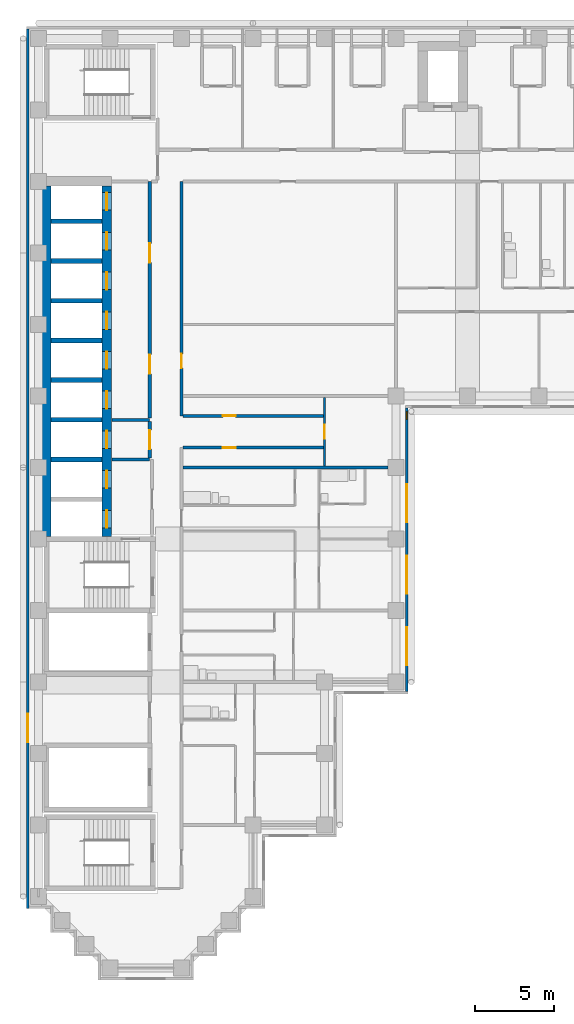
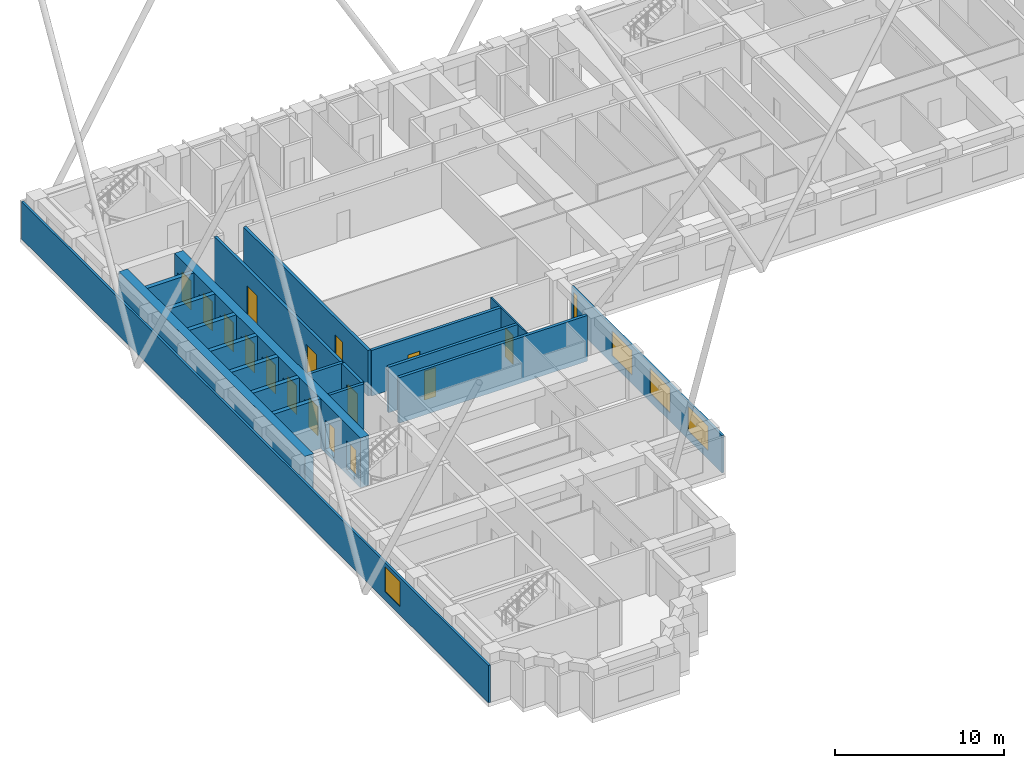
# One storey, part 5 of 13: 20 walls, 16 doors, 5 windows, 21 openings.
"""IFC4 building model written with IfcOpenShell, lengths in metres."""

from ifc_helpers import new_model, si_unit, direction, frame, frame_2d, origin, place, context, subcontext, project, spatial, rectangle, extrude, material, layer, layer_set, type_object, element, fill, save


model = new_model("IFC4")

# Units and contexts
model_context = context("Model", 3, precision=1e-05, world=origin(), true_north=direction((0.0, 1.0)))
body_context = subcontext(model_context, "Body", "Model", "MODEL_VIEW")
ifc_project = project(units=[si_unit("LENGTHUNIT", "METRE"), si_unit("AREAUNIT", "SQUARE_METRE"), si_unit("VOLUMEUNIT", "CUBIC_METRE"), si_unit("PLANEANGLEUNIT", "RADIAN"), si_unit("MASSUNIT", "GRAM", prefix="KILO")], contexts=[model_context])

# Site, building, storey
site_placement = place(None, origin())
site = spatial("IfcSite", under=ifc_project, at=site_placement, CompositionType="ELEMENT")
building_placement = place(site_placement, origin())
building = spatial("IfcBuilding", under=site, at=building_placement, Name="Firuza Court", CompositionType="ELEMENT")
storey_placement = place(building_placement, frame((0.0, 0.0, 162.800048828125)))
storey = spatial("IfcBuildingStorey", under=building, at=storey_placement, Name="L41", CompositionType="ELEMENT", Elevation=162.800048828125)

# Walls
ifc_material_1 = material(Name="Concrete C60/75", Category="concrete")
ifc_layer_1 = layer(ifc_material_1, 0.300048828125)
ifc_layer_set_1 = layer_set([ifc_layer_1], Name="Concrete C60/75")
wall_type_1 = type_object("IfcWallType", Name="Core wall 300 C60/75", PredefinedType="SHEAR", material=ifc_layer_set_1)
for number, where, z_axis, x_axis, name in (
    (1, (0.800048828125, 32.0, -0.300048828125), (0.0, 0.0, 1.0), (1.0, 0.0, 0.0), "Core wall lift shaft L41"),
    (2, (0.800048828125, 34.5, -0.300048828125), (0.0, 0.0, 1.0), (1.0, 0.0, 0.0), "Core wall lift shaft L41"),
    (3, (0.800048828125, 37.0, -0.300048828125), (0.0, 0.0, 1.0), (1.0, 0.0, 0.0), "Core wall lift shaft L41"),
    (4, (0.800048828125, 39.5, -0.300048828125), (0.0, 0.0, 1.0), (1.0, 0.0, 0.0), "Core wall lift shaft L41"),
    (5, (0.800048828125, 42.0, -0.300048828125), (0.0, 0.0, 1.0), (1.0, 0.0, 0.0), "Core wall lift shaft L41"),
    (6, (0.800048828125, 44.5, -0.300048828125), (0.0, 0.0, 1.0), (1.0, 0.0, 0.0), "Core wall lift shaft L41"),
    (7, (0.800048828125, 47.0, -0.300048828125), (0.0, 0.0, 1.0), (1.0, 0.0, 0.0), "Core wall lift shaft L41"),
):
    element("IfcWall", number, at=place(storey_placement, frame(where, z_axis=z_axis, x_axis=x_axis)), inside=storey, type_object=wall_type_1, Name=name, PredefinedType="SHEAR", context=body_context, shape_type="SweptSolid", body=[
        extrude(rectangle(XDim=3.199951171875, YDim=0.300048828125, at=frame_2d((1.60009765625, 0.0))), origin(), (0.0, 0.0, 1.0), 3.60009765625),
    ])
ifc_layer_2 = layer(ifc_material_1, 0.60009765625)
ifc_layer_set_2 = layer_set([ifc_layer_2], Name="Concrete C60/75")
wall_type_2 = type_object("IfcWallType", Name="Core wall 600 C60/75", PredefinedType="SHEAR", material=ifc_layer_set_2)
wall_1_placement = place(storey_placement, frame((0.5, 27.14990234375, -0.300048828125), z_axis=(0.0, 0.0, 1.0), x_axis=(0.0, 1.0, 0.0)))
element("IfcWall", 8, at=wall_1_placement, inside=storey, type_object=wall_type_2, Name="Core wall lift shaft L41", PredefinedType="SHEAR", context=body_context, shape_type="SweptSolid", body=[
    extrude(rectangle(XDim=22.050048828125, YDim=0.60009765625, at=frame_2d((11.02490234375, 0.0))), origin(), (0.0, 0.0, 1.0), 3.60009765625),
])

# Wall, openings, doors
wall_2_placement = place(storey_placement, frame((4.300048828125, 27.14990234375, -0.300048828125), z_axis=(0.0, 0.0, 1.0), x_axis=(0.0, 1.0, 0.0)))
wall_2 = element("IfcWall", 9, at=wall_2_placement, inside=storey, type_object=wall_type_2, Name="Core wall lift shaft L41", PredefinedType="SHEAR", context=body_context, shape_type="SweptSolid", body=[
    extrude(rectangle(XDim=22.050048828125, YDim=0.60009765625, at=frame_2d((11.02490234375, 0.0))), origin(), (0.0, 0.0, 1.0), 3.60009765625),
])
opening_1_placement = place(wall_2_placement, frame((3.050048828125, 0.0, 0.300048828125)))
opening_1 = element("IfcOpeningElement", 10, at=opening_1_placement, cuts=wall_2, Name="Opening LD-FL1-41", PredefinedType="OPENING", context=body_context, shape_type="SweptSolid", body=[
    extrude(rectangle(XDim=1.10009765625, YDim=2.10009765625, at=frame_2d((0.550048828125, 1.050048828125))), frame((0.0, 0.31201171875, 0.0), z_axis=(0.0, -1.0, 0.0), x_axis=(1.0, 0.0, 0.0)), (0.0, 0.0, 1.0), 0.6240234375),
])
opening_2_placement = place(wall_2_placement, frame((0.550048828125, 0.0, 0.300048828125)))
opening_2 = element("IfcOpeningElement", 11, at=opening_2_placement, cuts=wall_2, Name="Opening LD-FL2-41", PredefinedType="OPENING", context=body_context, shape_type="SweptSolid", body=[
    extrude(rectangle(XDim=1.10009765625, YDim=2.10009765625, at=frame_2d((0.550048828125, 1.050048828125))), frame((0.0, 0.31201171875, 0.0), z_axis=(0.0, -1.0, 0.0), x_axis=(1.0, 0.0, 0.0)), (0.0, 0.0, 1.0), 0.6240234375),
])
opening_3_placement = place(wall_2_placement, frame((20.550048828125, 0.0, 0.300048828125)))
opening_3 = element("IfcOpeningElement", 12, at=opening_3_placement, cuts=wall_2, Name="Opening LD-HB1-41", PredefinedType="OPENING", context=body_context, shape_type="SweptSolid", body=[
    extrude(rectangle(XDim=1.10009765625, YDim=2.10009765625, at=frame_2d((0.550048828125, 1.050048828125))), frame((0.0, 0.31201171875, 0.0), z_axis=(0.0, -1.0, 0.0), x_axis=(1.0, 0.0, 0.0)), (0.0, 0.0, 1.0), 0.6240234375),
])
opening_4_placement = place(wall_2_placement, frame((18.050048828125, 0.0, 0.300048828125)))
opening_4 = element("IfcOpeningElement", 13, at=opening_4_placement, cuts=wall_2, Name="Opening LD-HB2-41", PredefinedType="OPENING", context=body_context, shape_type="SweptSolid", body=[
    extrude(rectangle(XDim=1.10009765625, YDim=2.10009765625, at=frame_2d((0.550048828125, 1.050048828125))), frame((0.0, 0.31201171875, 0.0), z_axis=(0.0, -1.0, 0.0), x_axis=(1.0, 0.0, 0.0)), (0.0, 0.0, 1.0), 0.6240234375),
])
opening_5_placement = place(wall_2_placement, frame((15.550048828125, 0.0, 0.300048828125)))
opening_5 = element("IfcOpeningElement", 14, at=opening_5_placement, cuts=wall_2, Name="Opening LD-HB3-41", PredefinedType="OPENING", context=body_context, shape_type="SweptSolid", body=[
    extrude(rectangle(XDim=1.10009765625, YDim=2.10009765625, at=frame_2d((0.550048828125, 1.050048828125))), frame((0.0, 0.31201171875, 0.0), z_axis=(0.0, -1.0, 0.0), x_axis=(1.0, 0.0, 0.0)), (0.0, 0.0, 1.0), 0.6240234375),
])
opening_6_placement = place(wall_2_placement, frame((13.050048828125, 0.0, 0.300048828125)))
opening_6 = element("IfcOpeningElement", 15, at=opening_6_placement, cuts=wall_2, Name="Opening LD-HB4-41", PredefinedType="OPENING", context=body_context, shape_type="SweptSolid", body=[
    extrude(rectangle(XDim=1.10009765625, YDim=2.10009765625, at=frame_2d((0.550048828125, 1.050048828125))), frame((0.0, 0.31201171875, 0.0), z_axis=(0.0, -1.0, 0.0), x_axis=(1.0, 0.0, 0.0)), (0.0, 0.0, 1.0), 0.6240234375),
])
opening_7_placement = place(wall_2_placement, frame((10.550048828125, 0.0, 0.300048828125)))
opening_7 = element("IfcOpeningElement", 16, at=opening_7_placement, cuts=wall_2, Name="Opening LD-HB5-41", PredefinedType="OPENING", context=body_context, shape_type="SweptSolid", body=[
    extrude(rectangle(XDim=1.10009765625, YDim=2.10009765625, at=frame_2d((0.550048828125, 1.050048828125))), frame((0.0, 0.31201171875, 0.0), z_axis=(0.0, -1.0, 0.0), x_axis=(1.0, 0.0, 0.0)), (0.0, 0.0, 1.0), 0.6240234375),
])
opening_8_placement = place(wall_2_placement, frame((8.050048828125, 0.0, 0.300048828125)))
opening_8 = element("IfcOpeningElement", 17, at=opening_8_placement, cuts=wall_2, Name="Opening LD-HB6-41", PredefinedType="OPENING", context=body_context, shape_type="SweptSolid", body=[
    extrude(rectangle(XDim=1.10009765625, YDim=2.10009765625, at=frame_2d((0.550048828125, 1.050048828125))), frame((0.0, 0.31201171875, 0.0), z_axis=(0.0, -1.0, 0.0), x_axis=(1.0, 0.0, 0.0)), (0.0, 0.0, 1.0), 0.6240234375),
])
opening_9_placement = place(wall_2_placement, frame((5.550048828125, 0.0, 0.300048828125)))
opening_9 = element("IfcOpeningElement", 18, at=opening_9_placement, cuts=wall_2, Name="Opening LD-SL1-41", PredefinedType="OPENING", context=body_context, shape_type="SweptSolid", body=[
    extrude(rectangle(XDim=1.10009765625, YDim=2.10009765625, at=frame_2d((0.550048828125, 1.050048828125))), frame((0.0, 0.31201171875, 0.0), z_axis=(0.0, -1.0, 0.0), x_axis=(1.0, 0.0, 0.0)), (0.0, 0.0, 1.0), 0.6240234375),
])
ifc_material_2 = material(Name="Stainless steel 1.4301 door leaf", Category="steel")
door_type_1 = type_object("IfcDoorType", Name="Lift landing door 1100", OperationType="SLIDING_TO_LEFT", PredefinedType="DOOR", material=ifc_material_2)
door_1_placement = place(opening_1_placement, origin())
door_1 = element("IfcDoor", 19, at=door_1_placement, inside=storey, type_object=door_type_1, Name="Landing door FL1", OperationType="SLIDING_TO_LEFT", OverallHeight=2.10009765625, OverallWidth=1.10009765625, PredefinedType="DOOR", context=body_context, shape_type="SweptSolid", body=[
    extrude(rectangle(XDim=1.10009765625, YDim=2.10009765625, at=frame_2d((0.550048828125, 1.050048828125))), frame((0.0, 0.02490234375, 0.0), z_axis=(0.0, -1.0, 0.0), x_axis=(1.0, 0.0, 0.0)), (0.0, 0.0, 1.0), 0.050048828125),
])
fill(opening_1, door_1)
door_2_placement = place(opening_2_placement, origin())
door_2 = element("IfcDoor", 20, at=door_2_placement, inside=storey, type_object=door_type_1, Name="Landing door FL2", OperationType="SLIDING_TO_LEFT", OverallHeight=2.10009765625, OverallWidth=1.10009765625, PredefinedType="DOOR", context=body_context, shape_type="SweptSolid", body=[
    extrude(rectangle(XDim=1.10009765625, YDim=2.10009765625, at=frame_2d((0.550048828125, 1.050048828125))), frame((0.0, 0.02490234375, 0.0), z_axis=(0.0, -1.0, 0.0), x_axis=(1.0, 0.0, 0.0)), (0.0, 0.0, 1.0), 0.050048828125),
])
fill(opening_2, door_2)
door_3_placement = place(opening_3_placement, origin())
door_3 = element("IfcDoor", 21, at=door_3_placement, inside=storey, type_object=door_type_1, Name="Landing door HB1", OperationType="SLIDING_TO_LEFT", OverallHeight=2.10009765625, OverallWidth=1.10009765625, PredefinedType="DOOR", context=body_context, shape_type="SweptSolid", body=[
    extrude(rectangle(XDim=1.10009765625, YDim=2.10009765625, at=frame_2d((0.550048828125, 1.050048828125))), frame((0.0, 0.02490234375, 0.0), z_axis=(0.0, -1.0, 0.0), x_axis=(1.0, 0.0, 0.0)), (0.0, 0.0, 1.0), 0.050048828125),
])
fill(opening_3, door_3)
door_4_placement = place(opening_4_placement, origin())
door_4 = element("IfcDoor", 22, at=door_4_placement, inside=storey, type_object=door_type_1, Name="Landing door HB2", OperationType="SLIDING_TO_LEFT", OverallHeight=2.10009765625, OverallWidth=1.10009765625, PredefinedType="DOOR", context=body_context, shape_type="SweptSolid", body=[
    extrude(rectangle(XDim=1.10009765625, YDim=2.10009765625, at=frame_2d((0.550048828125, 1.050048828125))), frame((0.0, 0.02490234375, 0.0), z_axis=(0.0, -1.0, 0.0), x_axis=(1.0, 0.0, 0.0)), (0.0, 0.0, 1.0), 0.050048828125),
])
fill(opening_4, door_4)
door_5_placement = place(opening_5_placement, origin())
door_5 = element("IfcDoor", 23, at=door_5_placement, inside=storey, type_object=door_type_1, Name="Landing door HB3", OperationType="SLIDING_TO_LEFT", OverallHeight=2.10009765625, OverallWidth=1.10009765625, PredefinedType="DOOR", context=body_context, shape_type="SweptSolid", body=[
    extrude(rectangle(XDim=1.10009765625, YDim=2.10009765625, at=frame_2d((0.550048828125, 1.050048828125))), frame((0.0, 0.02490234375, 0.0), z_axis=(0.0, -1.0, 0.0), x_axis=(1.0, 0.0, 0.0)), (0.0, 0.0, 1.0), 0.050048828125),
])
fill(opening_5, door_5)
door_6_placement = place(opening_6_placement, origin())
door_6 = element("IfcDoor", 24, at=door_6_placement, inside=storey, type_object=door_type_1, Name="Landing door HB4", OperationType="SLIDING_TO_LEFT", OverallHeight=2.10009765625, OverallWidth=1.10009765625, PredefinedType="DOOR", context=body_context, shape_type="SweptSolid", body=[
    extrude(rectangle(XDim=1.10009765625, YDim=2.10009765625, at=frame_2d((0.550048828125, 1.050048828125))), frame((0.0, 0.02490234375, 0.0), z_axis=(0.0, -1.0, 0.0), x_axis=(1.0, 0.0, 0.0)), (0.0, 0.0, 1.0), 0.050048828125),
])
fill(opening_6, door_6)
door_7_placement = place(opening_7_placement, origin())
door_7 = element("IfcDoor", 25, at=door_7_placement, inside=storey, type_object=door_type_1, Name="Landing door HB5", OperationType="SLIDING_TO_LEFT", OverallHeight=2.10009765625, OverallWidth=1.10009765625, PredefinedType="DOOR", context=body_context, shape_type="SweptSolid", body=[
    extrude(rectangle(XDim=1.10009765625, YDim=2.10009765625, at=frame_2d((0.550048828125, 1.050048828125))), frame((0.0, 0.02490234375, 0.0), z_axis=(0.0, -1.0, 0.0), x_axis=(1.0, 0.0, 0.0)), (0.0, 0.0, 1.0), 0.050048828125),
])
fill(opening_7, door_7)
door_8_placement = place(opening_8_placement, origin())
door_8 = element("IfcDoor", 26, at=door_8_placement, inside=storey, type_object=door_type_1, Name="Landing door HB6", OperationType="SLIDING_TO_LEFT", OverallHeight=2.10009765625, OverallWidth=1.10009765625, PredefinedType="DOOR", context=body_context, shape_type="SweptSolid", body=[
    extrude(rectangle(XDim=1.10009765625, YDim=2.10009765625, at=frame_2d((0.550048828125, 1.050048828125))), frame((0.0, 0.02490234375, 0.0), z_axis=(0.0, -1.0, 0.0), x_axis=(1.0, 0.0, 0.0)), (0.0, 0.0, 1.0), 0.050048828125),
])
fill(opening_8, door_8)
door_9_placement = place(opening_9_placement, origin())
door_9 = element("IfcDoor", 27, at=door_9_placement, inside=storey, type_object=door_type_1, Name="Landing door SL1", OperationType="SLIDING_TO_LEFT", OverallHeight=2.10009765625, OverallWidth=1.10009765625, PredefinedType="DOOR", context=body_context, shape_type="SweptSolid", body=[
    extrude(rectangle(XDim=1.10009765625, YDim=2.10009765625, at=frame_2d((0.550048828125, 1.050048828125))), frame((0.0, 0.02490234375, 0.0), z_axis=(0.0, -1.0, 0.0), x_axis=(1.0, 0.0, 0.0)), (0.0, 0.0, 1.0), 0.050048828125),
])
fill(opening_9, door_9)

# Wall, opening, door
ifc_material_3 = material(Name="Blockwork, plastered both sides", Category="masonry")
ifc_layer_3 = layer(ifc_material_3, 0.199951171875)
ifc_layer_set_3 = layer_set([ifc_layer_3], Name="Blockwork, plastered both sides")
wall_type_3 = type_object("IfcWallType", Name="Corridor wall 200", PredefinedType="PARTITIONING", material=ifc_layer_set_3)
wall_3_placement = place(storey_placement, frame((9.10009765625, 32.75, 0.0), z_axis=(0.0, 0.0, 1.0), x_axis=(1.0, 0.0, 0.0)))
wall_3 = element("IfcWall", 28, at=wall_3_placement, inside=storey, type_object=wall_type_3, Name="Corridor wall 200 L41", PredefinedType="PARTITIONING", context=body_context, shape_type="SweptSolid", body=[
    extrude(rectangle(XDim=8.849853515625, YDim=0.199951171875, at=frame_2d((4.4248046875, 0.0))), origin(), (0.0, 0.0, 1.0), 3.300048828125),
])
opening_10_placement = place(wall_3_placement, frame((2.5, 0.0, 0.0)))
opening_10 = element("IfcOpeningElement", 29, at=opening_10_placement, cuts=wall_3, Name="Opening D41036", PredefinedType="OPENING", context=body_context, shape_type="SweptSolid", body=[
    extrude(rectangle(XDim=0.800048828125, YDim=2.10009765625, at=frame_2d((0.39990234375, 1.050048828125))), frame((0.0, 0.11181640625, 0.0), z_axis=(0.0, -1.0, 0.0), x_axis=(1.0, 0.0, 0.0)), (0.0, 0.0, 1.0), 0.223876953125),
])
ifc_material_4 = material(Name="Timber door leaf in hardwood frame", Category="wood")
door_type_2 = type_object("IfcDoorType", Name="Room door 800 EI 30", OperationType="SINGLE_SWING_LEFT", PredefinedType="DOOR", material=ifc_material_4)
door_10_placement = place(opening_10_placement, frame((0.800048828125, 0.0, 0.0), z_axis=(0.0, 0.0, 1.0), x_axis=(-1.0, 0.0, 0.0)))
door_10 = element("IfcDoor", 30, at=door_10_placement, inside=storey, type_object=door_type_2, Name="Store door", OperationType="SINGLE_SWING_RIGHT", OverallHeight=2.10009765625, OverallWidth=0.800048828125, PredefinedType="DOOR", context=body_context, shape_type="SweptSolid", body=[
    extrude(rectangle(XDim=0.800048828125, YDim=2.10009765625, at=frame_2d((0.39990234375, 1.050048828125))), frame((0.0, 0.02490234375, 0.0), z_axis=(0.0, -1.0, 0.0), x_axis=(1.0, 0.0, 0.0)), (0.0, 0.0, 1.0), 0.050048828125),
])
fill(opening_10, door_10)

wall_4_placement = place(storey_placement, frame((9.0, 34.75, 0.0), z_axis=(0.0, 0.0, 1.0), x_axis=(0.0, 1.0, 0.0)))
wall_4 = element("IfcWall", 31, at=wall_4_placement, inside=storey, type_object=wall_type_3, Name="Corridor wall 200 L41", PredefinedType="PARTITIONING", context=body_context, shape_type="SweptSolid", body=[
    extrude(rectangle(XDim=14.75, YDim=0.199951171875, at=frame_2d((7.375, 0.0))), origin(), (0.0, 0.0, 1.0), 3.300048828125),
])
opening_11_placement = place(wall_4_placement, frame((3.0, 0.0, 0.0)))
opening_11 = element("IfcOpeningElement", 32, at=opening_11_placement, cuts=wall_4, Name="Opening D41037", PredefinedType="OPENING", context=body_context, shape_type="SweptSolid", body=[
    extrude(rectangle(XDim=0.89990234375, YDim=2.10009765625, at=frame_2d((0.449951171875, 1.050048828125))), frame((0.0, 0.11181640625, 0.0), z_axis=(0.0, -1.0, 0.0), x_axis=(1.0, 0.0, 0.0)), (0.0, 0.0, 1.0), 0.223876953125),
])
ifc_material_5 = material(Name="Timber door leaf in hardwood frame", Category="wood")
door_type_3 = type_object("IfcDoorType", Name="Room door 900 EI 30", OperationType="SINGLE_SWING_LEFT", PredefinedType="DOOR", material=ifc_material_5)
door_11_placement = place(opening_11_placement, origin())
door_11 = element("IfcDoor", 33, at=door_11_placement, inside=storey, type_object=door_type_3, Name="Fitness studio door", OperationType="SINGLE_SWING_LEFT", OverallHeight=2.10009765625, OverallWidth=0.89990234375, PredefinedType="DOOR", context=body_context, shape_type="SweptSolid", body=[
    extrude(rectangle(XDim=0.89990234375, YDim=2.10009765625, at=frame_2d((0.449951171875, 1.050048828125))), frame((0.0, 0.02490234375, 0.0), z_axis=(0.0, -1.0, 0.0), x_axis=(1.0, 0.0, 0.0)), (0.0, 0.0, 1.0), 0.050048828125),
])
fill(opening_11, door_11)

wall_5_placement = place(storey_placement, frame((9.10009765625, 34.75, 0.0), z_axis=(0.0, 0.0, 1.0), x_axis=(1.0, 0.0, 0.0)))
wall_5 = element("IfcWall", 34, at=wall_5_placement, inside=storey, type_object=wall_type_3, Name="Corridor wall 200 L41", PredefinedType="PARTITIONING", context=body_context, shape_type="SweptSolid", body=[
    extrude(rectangle(XDim=8.849853515625, YDim=0.199951171875, at=frame_2d((4.4248046875, 0.0))), origin(), (0.0, 0.0, 1.0), 3.300048828125),
])
opening_12_placement = place(wall_5_placement, frame((2.5, 0.0, 0.0)))
opening_12 = element("IfcOpeningElement", 35, at=opening_12_placement, cuts=wall_5, Name="Opening D41038", PredefinedType="OPENING", context=body_context, shape_type="SweptSolid", body=[
    extrude(rectangle(XDim=0.800048828125, YDim=2.10009765625, at=frame_2d((0.39990234375, 1.050048828125))), frame((0.0, 0.11181640625, 0.0), z_axis=(0.0, -1.0, 0.0), x_axis=(1.0, 0.0, 0.0)), (0.0, 0.0, 1.0), 0.223876953125),
])
door_12_placement = place(opening_12_placement, origin())
door_12 = element("IfcDoor", 36, at=door_12_placement, inside=storey, type_object=door_type_2, Name="Store door", OperationType="SINGLE_SWING_LEFT", OverallHeight=2.10009765625, OverallWidth=0.800048828125, PredefinedType="DOOR", context=body_context, shape_type="SweptSolid", body=[
    extrude(rectangle(XDim=0.800048828125, YDim=2.10009765625, at=frame_2d((0.39990234375, 1.050048828125))), frame((0.0, 0.02490234375, 0.0), z_axis=(0.0, -1.0, 0.0), x_axis=(1.0, 0.0, 0.0)), (0.0, 0.0, 1.0), 0.050048828125),
])
fill(opening_12, door_12)

ifc_material_6 = material(Name="Timber stud partition, plasterboard both sides", Category="wood")
ifc_layer_4 = layer(ifc_material_6, 0.10009765625)
ifc_layer_set_4 = layer_set([ifc_layer_4], Name="Timber stud partition, plasterboard both sides")
wall_type_4 = type_object("IfcWallType", Name="Partition wall 100", PredefinedType="PARTITIONING", material=ifc_layer_set_4)
wall_6_placement = place(storey_placement, frame((18.0, 31.60009765625, 0.0), z_axis=(0.0, 0.0, 1.0), x_axis=(0.0, 1.0, 0.0)))
wall_6 = element("IfcWall", 37, at=wall_6_placement, inside=storey, type_object=wall_type_4, Name="Partition wall 100 L41", PredefinedType="PARTITIONING", context=body_context, shape_type="SweptSolid", body=[
    extrude(rectangle(XDim=4.2998046875, YDim=0.10009765625, at=frame_2d((2.14990234375, 0.0))), origin(), (0.0, 0.0, 1.0), 3.300048828125),
])
opening_13_placement = place(wall_6_placement, frame((1.699951171875, 0.0, 0.0)))
opening_13 = element("IfcOpeningElement", 38, at=opening_13_placement, cuts=wall_6, Name="Opening D41035", PredefinedType="OPENING", context=body_context, shape_type="SweptSolid", body=[
    extrude(rectangle(XDim=0.89990234375, YDim=2.10009765625, at=frame_2d((0.449951171875, 1.050048828125))), frame((0.0, 0.06201171875, 0.0), z_axis=(0.0, -1.0, 0.0), x_axis=(1.0, 0.0, 0.0)), (0.0, 0.0, 1.0), 0.1240234375),
])
ifc_material_7 = material(Name="Timber door leaf in hardwood frame", Category="wood")
door_type_4 = type_object("IfcDoorType", Name="Room door 900", OperationType="SINGLE_SWING_LEFT", PredefinedType="DOOR", material=ifc_material_7)
door_13_placement = place(opening_13_placement, origin())
door_13 = element("IfcDoor", 39, at=door_13_placement, inside=storey, type_object=door_type_4, Name="Residents' lounge door", OperationType="SINGLE_SWING_LEFT", OverallHeight=2.10009765625, OverallWidth=0.89990234375, PredefinedType="DOOR", context=body_context, shape_type="SweptSolid", body=[
    extrude(rectangle(XDim=0.89990234375, YDim=2.10009765625, at=frame_2d((0.449951171875, 1.050048828125))), frame((0.0, 0.02490234375, 0.0), z_axis=(0.0, -1.0, 0.0), x_axis=(1.0, 0.0, 0.0)), (0.0, 0.0, 1.0), 0.050048828125),
])
fill(opening_13, door_13)

# Wall
ifc_layer_5 = layer(ifc_material_3, 0.199951171875)
ifc_layer_set_5 = layer_set([ifc_layer_5], Name="Blockwork, plastered both sides")
wall_type_5 = type_object("IfcWallType", Name="Party wall 200", PredefinedType="PARTITIONING", material=ifc_layer_set_5)
wall_7_placement = place(storey_placement, frame((9.10009765625, 31.5, 0.0), z_axis=(0.0, 0.0, 1.0), x_axis=(1.0, 0.0, 0.0)))
element("IfcWall", 40, at=wall_7_placement, inside=storey, type_object=wall_type_5, Name="Party wall 200 L41", PredefinedType="PARTITIONING", context=body_context, shape_type="SweptSolid", body=[
    extrude(rectangle(XDim=12.89990234375, YDim=0.199951171875, at=frame_2d((6.449951171875, 0.0))), origin(), (0.0, 0.0, 1.0), 3.300048828125),
])

# Wall, openings, windows
ifc_material_8 = material(Name="Ceramic tile", Category="ceramic")
ifc_layer_6 = layer(ifc_material_8, 0.02001953125)
ifc_material_9 = material(Name="Mineral wool insulation", Category="insulation")
ifc_layer_7 = layer(ifc_material_9, 0.050048828125)
ifc_material_10 = material(Name="Concrete C40/50 precast", Category="concrete")
ifc_layer_8 = layer(ifc_material_10, 0.080078125)
ifc_layer_set_6 = layer_set([ifc_layer_6, ifc_layer_7, ifc_layer_8], Name="Concrete C40/50 precast")
wall_type_6 = type_object("IfcWallType", Name="Precast cladding wall with turquoise TILE PANEL face 150", PredefinedType="STANDARD", material=ifc_layer_set_6)
wall_8_placement = place(storey_placement, frame((23.175048828125, 17.39990234375, 0.0), z_axis=(0.0, 0.0, 1.0), x_axis=(0.0, 1.0, 0.0)))
wall_8 = element("IfcWall", 41, at=wall_8_placement, inside=storey, type_object=wall_type_6, Name="Facade wall L41 E", PredefinedType="STANDARD", context=body_context, shape_type="SweptSolid", body=[
    extrude(rectangle(XDim=17.85009765625, YDim=0.14990234375, at=frame_2d((8.925048828125, 0.0))), origin(), (0.0, 0.0, 1.0), 2.699951171875),
])
opening_14_placement = place(wall_8_placement, frame((1.64990234375, 0.0, 0.60009765625)))
opening_14 = element("IfcOpeningElement", 42, at=opening_14_placement, cuts=wall_8, Name="Opening W1", PredefinedType="OPENING", context=body_context, shape_type="SweptSolid", body=[
    extrude(rectangle(XDim=2.39990234375, YDim=1.800048828125, at=frame_2d((1.199951171875, 0.89990234375))), frame((0.0, 0.0869140625, 0.0), z_axis=(0.0, -1.0, 0.0), x_axis=(1.0, 0.0, 0.0)), (0.0, 0.0, 1.0), 0.173828125),
])
opening_15_placement = place(wall_8_placement, frame((6.14990234375, 0.0, 0.60009765625)))
opening_15 = element("IfcOpeningElement", 43, at=opening_15_placement, cuts=wall_8, Name="Opening W1", PredefinedType="OPENING", context=body_context, shape_type="SweptSolid", body=[
    extrude(rectangle(XDim=2.39990234375, YDim=1.800048828125, at=frame_2d((1.199951171875, 0.89990234375))), frame((0.0, 0.0869140625, 0.0), z_axis=(0.0, -1.0, 0.0), x_axis=(1.0, 0.0, 0.0)), (0.0, 0.0, 1.0), 0.173828125),
])
opening_16_placement = place(wall_8_placement, frame((10.64990234375, 0.0, 0.60009765625)))
opening_16 = element("IfcOpeningElement", 44, at=opening_16_placement, cuts=wall_8, Name="Opening W1", PredefinedType="OPENING", context=body_context, shape_type="SweptSolid", body=[
    extrude(rectangle(XDim=2.39990234375, YDim=1.800048828125, at=frame_2d((1.199951171875, 0.89990234375))), frame((0.0, 0.0869140625, 0.0), z_axis=(0.0, -1.0, 0.0), x_axis=(1.0, 0.0, 0.0)), (0.0, 0.0, 1.0), 0.173828125),
])
opening_17_placement = place(wall_8_placement, frame((17.152099609375, 0.0, 0.60009765625)))
opening_17 = element("IfcOpeningElement", 45, at=opening_17_placement, cuts=wall_8, Name="Opening W5", PredefinedType="OPENING", context=body_context, shape_type="SweptSolid", body=[
    extrude(rectangle(XDim=0.449951171875, YDim=1.800048828125, at=frame_2d((0.22509765625, 0.89990234375))), frame((0.0, 0.0869140625, 0.0), z_axis=(0.0, -1.0, 0.0), x_axis=(1.0, 0.0, 0.0)), (0.0, 0.0, 1.0), 0.173828125),
])
ifc_material_11 = material(Name="Aluminium frame, triple clear glazing", Category="aluminium")
window_type_1 = type_object("IfcWindowType", Name="Window W1 2400 x 1800", PartitioningType="SINGLE_PANEL", PredefinedType="WINDOW", material=ifc_material_11)
window_1_placement = place(opening_14_placement, origin())
window_1 = element("IfcWindow", 46, at=window_1_placement, inside=storey, type_object=window_type_1, Name="Window L41", OverallHeight=1.800048828125, OverallWidth=2.39990234375, PartitioningType="SINGLE_PANEL", PredefinedType="WINDOW", context=body_context, shape_type="SweptSolid", body=[
    extrude(rectangle(XDim=2.39990234375, YDim=1.800048828125, at=frame_2d((1.199951171875, 0.89990234375))), frame((0.0, 0.030029296875, 0.0), z_axis=(0.0, -1.0, 0.0), x_axis=(1.0, 0.0, 0.0)), (0.0, 0.0, 1.0), 0.06005859375),
])
fill(opening_14, window_1)
window_2_placement = place(opening_15_placement, origin())
window_2 = element("IfcWindow", 47, at=window_2_placement, inside=storey, type_object=window_type_1, Name="Window L41", OverallHeight=1.800048828125, OverallWidth=2.39990234375, PartitioningType="SINGLE_PANEL", PredefinedType="WINDOW", context=body_context, shape_type="SweptSolid", body=[
    extrude(rectangle(XDim=2.39990234375, YDim=1.800048828125, at=frame_2d((1.199951171875, 0.89990234375))), frame((0.0, 0.030029296875, 0.0), z_axis=(0.0, -1.0, 0.0), x_axis=(1.0, 0.0, 0.0)), (0.0, 0.0, 1.0), 0.06005859375),
])
fill(opening_15, window_2)
window_3_placement = place(opening_16_placement, origin())
window_3 = element("IfcWindow", 48, at=window_3_placement, inside=storey, type_object=window_type_1, Name="Window L41", OverallHeight=1.800048828125, OverallWidth=2.39990234375, PartitioningType="SINGLE_PANEL", PredefinedType="WINDOW", context=body_context, shape_type="SweptSolid", body=[
    extrude(rectangle(XDim=2.39990234375, YDim=1.800048828125, at=frame_2d((1.199951171875, 0.89990234375))), frame((0.0, 0.030029296875, 0.0), z_axis=(0.0, -1.0, 0.0), x_axis=(1.0, 0.0, 0.0)), (0.0, 0.0, 1.0), 0.06005859375),
])
fill(opening_16, window_3)
ifc_material_12 = material(Name="Aluminium frame, triple clear glazing", Category="aluminium")
window_type_2 = type_object("IfcWindowType", Name="Window W5 450 x 1800", PartitioningType="SINGLE_PANEL", PredefinedType="WINDOW", material=ifc_material_12)
window_4_placement = place(opening_17_placement, origin())
window_4 = element("IfcWindow", 49, at=window_4_placement, inside=storey, type_object=window_type_2, Name="Window L41", OverallHeight=1.800048828125, OverallWidth=0.449951171875, PartitioningType="SINGLE_PANEL", PredefinedType="WINDOW", context=body_context, shape_type="SweptSolid", body=[
    extrude(rectangle(XDim=0.449951171875, YDim=1.800048828125, at=frame_2d((0.22509765625, 0.89990234375))), frame((0.0, 0.030029296875, 0.0), z_axis=(0.0, -1.0, 0.0), x_axis=(1.0, 0.0, 0.0)), (0.0, 0.0, 1.0), 0.06005859375),
])
fill(opening_17, window_4)

# Wall, opening, window
wall_9_placement = place(storey_placement, frame((-0.675048828125, 59.10009765625, 0.0), z_axis=(0.0, 0.0, 1.0), x_axis=(0.0, -1.0, 0.0)))
wall_9 = element("IfcWall", 50, at=wall_9_placement, inside=storey, type_object=wall_type_6, Name="Facade wall L41 W", PredefinedType="STANDARD", context=body_context, shape_type="SweptSolid", body=[
    extrude(rectangle(XDim=55.35009765625, YDim=0.14990234375, at=frame_2d((27.675048828125, 0.0))), origin(), (0.0, 0.0, 1.0), 2.699951171875),
])
opening_18_placement = place(wall_9_placement, frame((43.09521484375, 0.0, 0.60009765625)))
opening_18 = element("IfcOpeningElement", 51, at=opening_18_placement, cuts=wall_9, Name="Opening W7", PredefinedType="OPENING", context=body_context, shape_type="SweptSolid", body=[
    extrude(rectangle(XDim=1.800048828125, YDim=1.800048828125, at=frame_2d((0.89990234375, 0.89990234375))), frame((0.0, 0.0869140625, 0.0), z_axis=(0.0, -1.0, 0.0), x_axis=(1.0, 0.0, 0.0)), (0.0, 0.0, 1.0), 0.173828125),
])
ifc_material_13 = material(Name="Aluminium frame, triple clear glazing", Category="aluminium")
window_type_3 = type_object("IfcWindowType", Name="Window W7 1800 x 1800", PartitioningType="SINGLE_PANEL", PredefinedType="WINDOW", material=ifc_material_13)
window_5_placement = place(opening_18_placement, origin())
window_5 = element("IfcWindow", 52, at=window_5_placement, inside=storey, type_object=window_type_3, Name="Window L41", OverallHeight=1.800048828125, OverallWidth=1.800048828125, PartitioningType="SINGLE_PANEL", PredefinedType="WINDOW", context=body_context, shape_type="SweptSolid", body=[
    extrude(rectangle(XDim=1.800048828125, YDim=1.800048828125, at=frame_2d((0.89990234375, 0.89990234375))), frame((0.0, 0.030029296875, 0.0), z_axis=(0.0, -1.0, 0.0), x_axis=(1.0, 0.0, 0.0)), (0.0, 0.0, 1.0), 0.06005859375),
])
fill(opening_18, window_5)

# Wall
ifc_material_14 = material(Name="Blockwork, fire-rated", Category="masonry")
ifc_layer_9 = layer(ifc_material_14, 0.199951171875)
ifc_layer_set_7 = layer_set([ifc_layer_9], Name="Blockwork, fire-rated")
wall_type_7 = type_object("IfcWallType", Name="Shaft wall 200", PredefinedType="PARTITIONING", material=ifc_layer_set_7)
wall_10_placement = place(storey_placement, frame((4.6201171875, 34.5, 0.0), z_axis=(0.0, 0.0, 1.0), x_axis=(1.0, 0.0, 0.0)))
element("IfcWall", 53, at=wall_10_placement, inside=storey, type_object=wall_type_7, Name="Shaft wall 200 L41", PredefinedType="PARTITIONING", context=body_context, shape_type="SweptSolid", body=[
    extrude(rectangle(XDim=2.3798828125, YDim=0.199951171875, at=frame_2d((1.18994140625, 0.0))), origin(), (0.0, 0.0, 1.0), 3.300048828125),
])

# Wall, openings, doors
wall_11_placement = place(storey_placement, frame((7.0, 34.60009765625, 0.0), z_axis=(0.0, 0.0, 1.0), x_axis=(0.0, 1.0, 0.0)))
wall_11 = element("IfcWall", 54, at=wall_11_placement, inside=storey, type_object=wall_type_7, Name="Shaft wall 200 L41", PredefinedType="PARTITIONING", context=body_context, shape_type="SweptSolid", body=[
    extrude(rectangle(XDim=14.89990234375, YDim=0.199951171875, at=frame_2d((7.449951171875, 0.0))), origin(), (0.0, 0.0, 1.0), 3.300048828125),
])
opening_19_placement = place(wall_11_placement, frame((2.800048828125, 0.0, 0.0)))
opening_19 = element("IfcOpeningElement", 55, at=opening_19_placement, cuts=wall_11, Name="Opening D41004", PredefinedType="OPENING", context=body_context, shape_type="SweptSolid", body=[
    extrude(rectangle(XDim=1.199951171875, YDim=2.10009765625, at=frame_2d((0.60009765625, 1.050048828125))), frame((0.0, 0.11181640625, 0.0), z_axis=(0.0, -1.0, 0.0), x_axis=(1.0, 0.0, 0.0)), (0.0, 0.0, 1.0), 0.223876953125),
])
opening_20_placement = place(wall_11_placement, frame((9.800048828125, 0.0, 0.0)))
opening_20 = element("IfcOpeningElement", 56, at=opening_20_placement, cuts=wall_11, Name="Opening D41005", PredefinedType="OPENING", context=body_context, shape_type="SweptSolid", body=[
    extrude(rectangle(XDim=1.199951171875, YDim=2.10009765625, at=frame_2d((0.60009765625, 1.050048828125))), frame((0.0, 0.11181640625, 0.0), z_axis=(0.0, -1.0, 0.0), x_axis=(1.0, 0.0, 0.0)), (0.0, 0.0, 1.0), 0.223876953125),
])
ifc_material_15 = material(Name="Timber door leaf in hardwood frame", Category="wood")
door_type_5 = type_object("IfcDoorType", Name="Lobby door 1200", OperationType="SINGLE_SWING_LEFT", PredefinedType="DOOR", material=ifc_material_15)
door_14_placement = place(opening_19_placement, origin())
door_14 = element("IfcDoor", 57, at=door_14_placement, inside=storey, type_object=door_type_5, Name="Lobby door", OperationType="SINGLE_SWING_LEFT", OverallHeight=2.10009765625, OverallWidth=1.199951171875, PredefinedType="DOOR", context=body_context, shape_type="SweptSolid", body=[
    extrude(rectangle(XDim=1.199951171875, YDim=2.10009765625, at=frame_2d((0.60009765625, 1.050048828125))), frame((0.0, 0.02490234375, 0.0), z_axis=(0.0, -1.0, 0.0), x_axis=(1.0, 0.0, 0.0)), (0.0, 0.0, 1.0), 0.050048828125),
])
fill(opening_19, door_14)
door_15_placement = place(opening_20_placement, origin())
door_15 = element("IfcDoor", 58, at=door_15_placement, inside=storey, type_object=door_type_5, Name="Lobby door", OperationType="SINGLE_SWING_RIGHT", OverallHeight=2.10009765625, OverallWidth=1.199951171875, PredefinedType="DOOR", context=body_context, shape_type="SweptSolid", body=[
    extrude(rectangle(XDim=1.199951171875, YDim=2.10009765625, at=frame_2d((0.60009765625, 1.050048828125))), frame((0.0, 0.02490234375, 0.0), z_axis=(0.0, -1.0, 0.0), x_axis=(1.0, 0.0, 0.0)), (0.0, 0.0, 1.0), 0.050048828125),
])
fill(opening_20, door_15)

# Wall
wall_12_placement = place(storey_placement, frame((4.6201171875, 32.0, 0.0), z_axis=(0.0, 0.0, 1.0), x_axis=(1.0, 0.0, 0.0)))
element("IfcWall", 59, at=wall_12_placement, inside=storey, type_object=wall_type_7, Name="Shaft wall 200 L41", PredefinedType="PARTITIONING", context=body_context, shape_type="SweptSolid", body=[
    extrude(rectangle(XDim=2.3798828125, YDim=0.199951171875, at=frame_2d((1.18994140625, 0.0))), origin(), (0.0, 0.0, 1.0), 3.300048828125),
])

# Wall, opening, door
wall_13_placement = place(storey_placement, frame((7.0, 32.10009765625, 0.0), z_axis=(0.0, 0.0, 1.0), x_axis=(0.0, 1.0, 0.0)))
wall_13 = element("IfcWall", 60, at=wall_13_placement, inside=storey, type_object=wall_type_7, Name="Shaft wall 200 L41", PredefinedType="PARTITIONING", context=body_context, shape_type="SweptSolid", body=[
    extrude(rectangle(XDim=2.2998046875, YDim=0.199951171875, at=frame_2d((1.14990234375, 0.0))), origin(), (0.0, 0.0, 1.0), 3.300048828125),
])
opening_21_placement = place(wall_13_placement, frame((0.550048828125, 0.0, 0.0)))
opening_21 = element("IfcOpeningElement", 61, at=opening_21_placement, cuts=wall_13, Name="Opening D41008", PredefinedType="OPENING", context=body_context, shape_type="SweptSolid", body=[
    extrude(rectangle(XDim=1.199951171875, YDim=2.10009765625, at=frame_2d((0.60009765625, 1.050048828125))), frame((0.0, 0.11181640625, 0.0), z_axis=(0.0, -1.0, 0.0), x_axis=(1.0, 0.0, 0.0)), (0.0, 0.0, 1.0), 0.223876953125),
])
door_16_placement = place(opening_21_placement, origin())
door_16 = element("IfcDoor", 62, at=door_16_placement, inside=storey, type_object=door_type_5, Name="Lobby door", OperationType="SINGLE_SWING_LEFT", OverallHeight=2.10009765625, OverallWidth=1.199951171875, PredefinedType="DOOR", context=body_context, shape_type="SweptSolid", body=[
    extrude(rectangle(XDim=1.199951171875, YDim=2.10009765625, at=frame_2d((0.60009765625, 1.050048828125))), frame((0.0, 0.02490234375, 0.0), z_axis=(0.0, -1.0, 0.0), x_axis=(1.0, 0.0, 0.0)), (0.0, 0.0, 1.0), 0.050048828125),
])
fill(opening_21, door_16)

save(model, "model.ifc")
